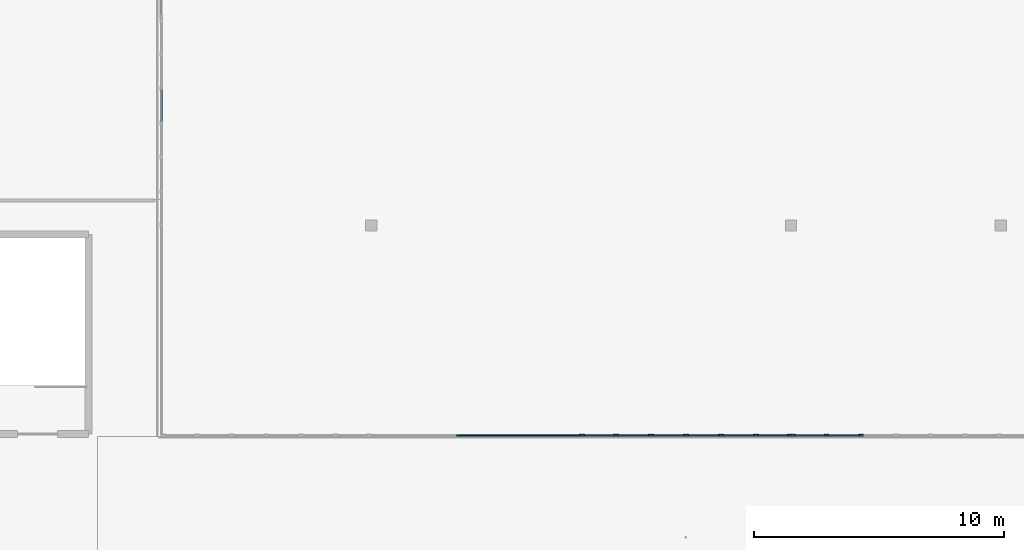
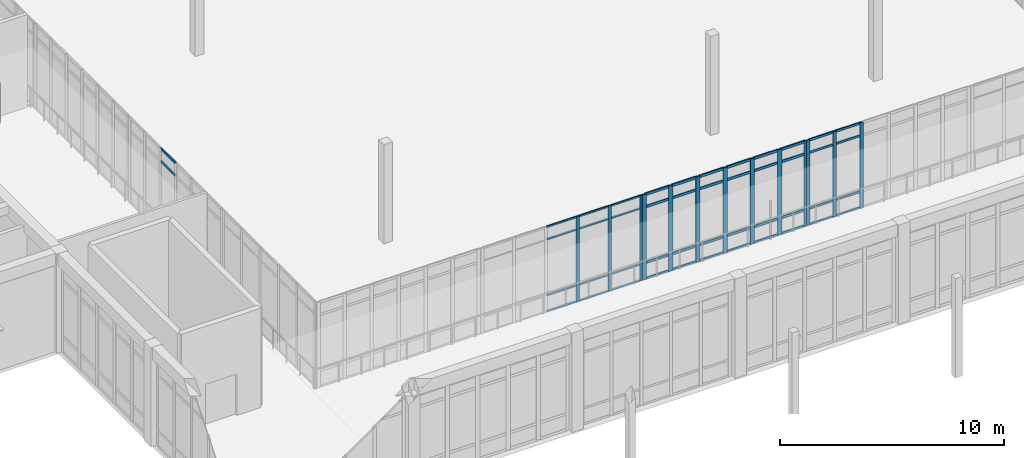
# One storey, part 18 of 157: 59 members, 4 elements without a shape of their own.
"""IFC4 building model written with IfcOpenShell, lengths in metres."""

from ifc_helpers import new_model, si_unit, direction, frame, origin, origin_2d, place, context, subcontext, project, spatial, rectangle, extrude, material, material_profile, profile_set, type_object, element, aggregate, save


model = new_model("IFC4")

# Units and contexts
model_context = context("Model", 3, precision=1e-05, world=origin(), true_north=direction((0.0, 1.0)))
body_context = subcontext(model_context, "Body", "Model", "MODEL_VIEW")
ifc_project = project(units=[si_unit("LENGTHUNIT", "METRE"), si_unit("AREAUNIT", "SQUARE_METRE"), si_unit("VOLUMEUNIT", "CUBIC_METRE"), si_unit("PLANEANGLEUNIT", "RADIAN"), si_unit("MASSUNIT", "GRAM", prefix="KILO")], contexts=[model_context])

# Site, building, storey
site_placement = place(None, origin())
site = spatial("IfcSite", under=ifc_project, at=site_placement, CompositionType="ELEMENT")
building_placement = place(site_placement, origin())
building = spatial("IfcBuilding", under=site, at=building_placement, Name="Varncliffe General Hospital", CompositionType="ELEMENT")
storey_placement = place(building_placement, frame((0.0, 0.0, 5.39990234375)))
storey = spatial("IfcBuildingStorey", under=building, at=storey_placement, Name="L01", CompositionType="ELEMENT", Elevation=5.39990234375)

# Curtain wall, members
ifc_material_1 = material(Name="Triple low-E argon insulated vision glazing", Category="glass")
curtain_wall_type_1 = type_object("IfcCurtainWallType", Name="Unitised Glazed Curtain Wall CW74 (8320x4640)", PredefinedType="USERDEFINED", material=ifc_material_1)
curtain_wall_1_placement = place(storey_placement, origin())
curtain_wall_1 = element("IfcCurtainWall", 1, at=curtain_wall_1_placement, inside=storey, type_object=curtain_wall_type_1, Name="L01 Glazed Curtain Wall CW74-94", ObjectType="GLAZED CURTAIN WALL", PredefinedType="USERDEFINED")
ifc_material_2 = material(Name="Dark bronze thermally broken aluminium framing", Category="aluminium")
ifc_material_profile_1 = material_profile(ifc_material_2, rectangle(XDim=0.074951171875, YDim=0.179931640625, at=origin_2d()), Name="ALU 75x180")
ifc_profile_set_1 = profile_set([ifc_material_profile_1], Name="Dark bronze thermally broken aluminium framing")
member_type_1 = type_object("IfcMemberType", Name="Curtain Wall Mullion CM44 (ALU 75x180)", PredefinedType="MULLION", material=ifc_profile_set_1)
member_1_placement = place(storey_placement, frame((92.4775390625, 15.60009765625, 0.0), z_axis=(0.0, 0.0, 1.0), x_axis=(0.0, 1.0, 0.0)))
member_1 = element("IfcMember", 2, at=member_1_placement, type_object=member_type_1, Name="CW74 mullion 1", PredefinedType="MULLION", context=body_context, shape_type="SweptSolid", body=[
    extrude(rectangle(XDim=0.074951171875, YDim=0.179931640625, at=origin_2d()), origin(), (0.0, 0.0, 1.0), 4.64013671875),
])
member_2_placement = place(storey_placement, frame((93.82666015625, 15.60009765625, 0.0), z_axis=(0.0, 0.0, 1.0), x_axis=(0.0, 1.0, 0.0)))
member_2 = element("IfcMember", 3, at=member_2_placement, type_object=member_type_1, Name="CW74 mullion 2", PredefinedType="MULLION", context=body_context, shape_type="SweptSolid", body=[
    extrude(rectangle(XDim=0.074951171875, YDim=0.179931640625, at=origin_2d()), origin(), (0.0, 0.0, 1.0), 4.64013671875),
])
member_3_placement = place(storey_placement, frame((95.21337890625, 15.60009765625, 0.0), z_axis=(0.0, 0.0, 1.0), x_axis=(0.0, 1.0, 0.0)))
member_3 = element("IfcMember", 4, at=member_3_placement, type_object=member_type_1, Name="CW74 mullion 3", PredefinedType="MULLION", context=body_context, shape_type="SweptSolid", body=[
    extrude(rectangle(XDim=0.074951171875, YDim=0.179931640625, at=origin_2d()), origin(), (0.0, 0.0, 1.0), 4.64013671875),
])

curtain_wall_type_2 = type_object("IfcCurtainWallType", Name="Unitised Glazed Curtain Wall CW56 (8240x4640)", PredefinedType="USERDEFINED", material=ifc_material_1)
curtain_wall_2_placement = place(storey_placement, origin())
curtain_wall_2 = element("IfcCurtainWall", 5, at=curtain_wall_2_placement, inside=storey, type_object=curtain_wall_type_2, Name="L01 Glazed Curtain Wall CW56-92", ObjectType="GLAZED CURTAIN WALL", PredefinedType="USERDEFINED")
ifc_material_profile_2 = material_profile(ifc_material_2, rectangle(XDim=0.06494140625, YDim=0.159912109375, at=origin_2d()), Name="ALU 65x160")
ifc_profile_set_2 = profile_set([ifc_material_profile_2], Name="Dark bronze thermally broken aluminium framing")
member_type_2 = type_object("IfcMemberType", Name="Curtain Wall Mullion CM65 (ALU 65x160)", PredefinedType="MULLION", material=ifc_profile_set_2)
member_4_placement = place(storey_placement, frame((80.6240234375, 15.60009765625, 0.0), z_axis=(0.0, 0.0, 1.0), x_axis=(0.0, 1.0, 0.0)))
member_4 = element("IfcMember", 6, at=member_4_placement, type_object=member_type_2, Name="CW56 mullion 4", PredefinedType="MULLION", context=body_context, shape_type="SweptSolid", body=[
    extrude(rectangle(XDim=0.06494140625, YDim=0.159912109375, at=origin_2d()), origin(), (0.0, 0.0, 1.0), 4.64013671875),
])
member_5_placement = place(storey_placement, frame((82.27197265625, 15.60009765625, 0.0), z_axis=(0.0, 0.0, 1.0), x_axis=(0.0, 1.0, 0.0)))
member_5 = element("IfcMember", 7, at=member_5_placement, type_object=member_type_2, Name="CW56 mullion 5", PredefinedType="MULLION", context=body_context, shape_type="SweptSolid", body=[
    extrude(rectangle(XDim=0.06494140625, YDim=0.159912109375, at=origin_2d()), origin(), (0.0, 0.0, 1.0), 4.64013671875),
])
member_6_placement = place(storey_placement, frame((83.887451171875, 15.60009765625, 0.0), z_axis=(0.0, 0.0, 1.0), x_axis=(0.0, 1.0, 0.0)))
member_6 = element("IfcMember", 8, at=member_6_placement, type_object=member_type_2, Name="CW56 mullion 6", PredefinedType="MULLION", context=body_context, shape_type="SweptSolid", body=[
    extrude(rectangle(XDim=0.06494140625, YDim=0.159912109375, at=origin_2d()), origin(), (0.0, 0.0, 1.0), 4.64013671875),
])

curtain_wall_type_3 = type_object("IfcCurtainWallType", Name="Unitised Glazed Curtain Wall CW89 (8400x4640)", PredefinedType="USERDEFINED", material=ifc_material_1)
curtain_wall_3_placement = place(storey_placement, origin())
curtain_wall_3 = element("IfcCurtainWall", 9, at=curtain_wall_3_placement, inside=storey, type_object=curtain_wall_type_3, Name="L01 Glazed Curtain Wall CW89-93", ObjectType="GLAZED CURTAIN WALL", PredefinedType="USERDEFINED")
ifc_material_profile_3 = material_profile(ifc_material_2, rectangle(XDim=0.074951171875, YDim=0.219970703125, at=origin_2d()), Name="ALU 75x220")
ifc_profile_set_3 = profile_set([ifc_material_profile_3], Name="Dark bronze thermally broken aluminium framing")
member_type_3 = type_object("IfcMemberType", Name="Curtain Wall Mullion CM74 (ALU 75x220)", PredefinedType="MULLION", material=ifc_profile_set_3)
member_7_placement = place(storey_placement, frame((84.03759765625, 15.60009765625, 0.0), z_axis=(0.0, 0.0, 1.0), x_axis=(0.0, 1.0, 0.0)))
member_7 = element("IfcMember", 10, at=member_7_placement, type_object=member_type_3, Name="CW89 mullion 1", PredefinedType="MULLION", context=body_context, shape_type="SweptSolid", body=[
    extrude(rectangle(XDim=0.074951171875, YDim=0.219970703125, at=origin_2d()), origin(), (0.0, 0.0, 1.0), 4.64013671875),
])
member_8_placement = place(storey_placement, frame((85.39990234375, 15.60009765625, 0.0), z_axis=(0.0, 0.0, 1.0), x_axis=(0.0, 1.0, 0.0)))
member_8 = element("IfcMember", 11, at=member_8_placement, type_object=member_type_3, Name="CW89 mullion 2", PredefinedType="MULLION", context=body_context, shape_type="SweptSolid", body=[
    extrude(rectangle(XDim=0.074951171875, YDim=0.219970703125, at=origin_2d()), origin(), (0.0, 0.0, 1.0), 4.64013671875),
])
member_9_placement = place(storey_placement, frame((86.800048828125, 15.60009765625, 0.0), z_axis=(0.0, 0.0, 1.0), x_axis=(0.0, 1.0, 0.0)))
member_9 = element("IfcMember", 12, at=member_9_placement, type_object=member_type_3, Name="CW89 mullion 3", PredefinedType="MULLION", context=body_context, shape_type="SweptSolid", body=[
    extrude(rectangle(XDim=0.074951171875, YDim=0.219970703125, at=origin_2d()), origin(), (0.0, 0.0, 1.0), 4.64013671875),
])
member_10_placement = place(storey_placement, frame((88.199951171875, 15.60009765625, 0.0), z_axis=(0.0, 0.0, 1.0), x_axis=(0.0, 1.0, 0.0)))
member_10 = element("IfcMember", 13, at=member_10_placement, type_object=member_type_3, Name="CW89 mullion 4", PredefinedType="MULLION", context=body_context, shape_type="SweptSolid", body=[
    extrude(rectangle(XDim=0.074951171875, YDim=0.219970703125, at=origin_2d()), origin(), (0.0, 0.0, 1.0), 4.64013671875),
])
member_11_placement = place(storey_placement, frame((89.60009765625, 15.60009765625, 0.0), z_axis=(0.0, 0.0, 1.0), x_axis=(0.0, 1.0, 0.0)))
member_11 = element("IfcMember", 14, at=member_11_placement, type_object=member_type_3, Name="CW89 mullion 5", PredefinedType="MULLION", context=body_context, shape_type="SweptSolid", body=[
    extrude(rectangle(XDim=0.074951171875, YDim=0.219970703125, at=origin_2d()), origin(), (0.0, 0.0, 1.0), 4.64013671875),
])
member_12_placement = place(storey_placement, frame((91.0, 15.60009765625, 0.0), z_axis=(0.0, 0.0, 1.0), x_axis=(0.0, 1.0, 0.0)))
member_12 = element("IfcMember", 15, at=member_12_placement, type_object=member_type_3, Name="CW89 mullion 6", PredefinedType="MULLION", context=body_context, shape_type="SweptSolid", body=[
    extrude(rectangle(XDim=0.074951171875, YDim=0.219970703125, at=origin_2d()), origin(), (0.0, 0.0, 1.0), 4.64013671875),
])
member_13_placement = place(storey_placement, frame((92.362548828125, 15.60009765625, 0.0), z_axis=(0.0, 0.0, 1.0), x_axis=(0.0, 1.0, 0.0)))
member_13 = element("IfcMember", 16, at=member_13_placement, type_object=member_type_3, Name="CW89 mullion 7", PredefinedType="MULLION", context=body_context, shape_type="SweptSolid", body=[
    extrude(rectangle(XDim=0.074951171875, YDim=0.219970703125, at=origin_2d()), origin(), (0.0, 0.0, 1.0), 4.64013671875),
])

# Member
ifc_material_profile_4 = material_profile(ifc_material_2, rectangle(XDim=0.06005859375, YDim=0.1201171875, at=origin_2d()), Name="ALU 60x120")
ifc_profile_set_4 = profile_set([ifc_material_profile_4], Name="Dark bronze thermally broken aluminium framing")
member_type_4 = type_object("IfcMemberType", Name="Curtain Wall Transom CT14 (ALU 60x120)", PredefinedType="USERDEFINED", material=ifc_profile_set_4)
member_14_placement = place(storey_placement, frame((92.514892578125, 15.60009765625, 0.030029296875), z_axis=(1.0, 0.0, 0.0), x_axis=(0.0, 1.0, 0.0)))
member_14 = element("IfcMember", 17, at=member_14_placement, type_object=member_type_4, Name="CW74 transom 1.1", ObjectType="TRANSOM", PredefinedType="USERDEFINED", context=body_context, shape_type="SweptSolid", body=[
    extrude(rectangle(XDim=0.06005859375, YDim=0.1201171875, at=origin_2d()), origin(), (0.0, 0.0, 1.0), 1.274169921875),
])

member_15_placement = place(storey_placement, frame((92.514892578125, 15.60009765625, 0.900146484375), z_axis=(1.0, 0.0, 0.0), x_axis=(0.0, 1.0, 0.0)))
member_15 = element("IfcMember", 18, at=member_15_placement, type_object=member_type_4, Name="CW74 transom 1.2", ObjectType="TRANSOM", PredefinedType="USERDEFINED", context=body_context, shape_type="SweptSolid", body=[
    extrude(rectangle(XDim=0.06005859375, YDim=0.1201171875, at=origin_2d()), origin(), (0.0, 0.0, 1.0), 1.274169921875),
])

member_16_placement = place(storey_placement, frame((92.514892578125, 15.60009765625, 3.940185546875), z_axis=(1.0, 0.0, 0.0), x_axis=(0.0, 1.0, 0.0)))
member_16 = element("IfcMember", 19, at=member_16_placement, type_object=member_type_4, Name="CW74 transom 1.3", ObjectType="TRANSOM", PredefinedType="USERDEFINED", context=body_context, shape_type="SweptSolid", body=[
    extrude(rectangle(XDim=0.06005859375, YDim=0.1201171875, at=origin_2d()), origin(), (0.0, 0.0, 1.0), 1.274169921875),
])

member_17_placement = place(storey_placement, frame((92.514892578125, 15.60009765625, 4.610107421875), z_axis=(1.0, 0.0, 0.0), x_axis=(0.0, 1.0, 0.0)))
member_17 = element("IfcMember", 20, at=member_17_placement, type_object=member_type_4, Name="CW74 transom 1.4", ObjectType="TRANSOM", PredefinedType="USERDEFINED", context=body_context, shape_type="SweptSolid", body=[
    extrude(rectangle(XDim=0.06005859375, YDim=0.1201171875, at=origin_2d()), origin(), (0.0, 0.0, 1.0), 1.274169921875),
])

member_18_placement = place(storey_placement, frame((93.8642578125, 15.60009765625, 0.030029296875), z_axis=(1.0, 0.0, 0.0), x_axis=(0.0, 1.0, 0.0)))
member_18 = element("IfcMember", 21, at=member_18_placement, type_object=member_type_4, Name="CW74 transom 2.1", ObjectType="TRANSOM", PredefinedType="USERDEFINED", context=body_context, shape_type="SweptSolid", body=[
    extrude(rectangle(XDim=0.06005859375, YDim=0.1201171875, at=origin_2d()), origin(), (0.0, 0.0, 1.0), 1.3115234375),
])

member_19_placement = place(storey_placement, frame((93.8642578125, 15.60009765625, 0.900146484375), z_axis=(1.0, 0.0, 0.0), x_axis=(0.0, 1.0, 0.0)))
member_19 = element("IfcMember", 22, at=member_19_placement, type_object=member_type_4, Name="CW74 transom 2.2", ObjectType="TRANSOM", PredefinedType="USERDEFINED", context=body_context, shape_type="SweptSolid", body=[
    extrude(rectangle(XDim=0.06005859375, YDim=0.1201171875, at=origin_2d()), origin(), (0.0, 0.0, 1.0), 1.3115234375),
])

member_20_placement = place(storey_placement, frame((93.8642578125, 15.60009765625, 3.940185546875), z_axis=(1.0, 0.0, 0.0), x_axis=(0.0, 1.0, 0.0)))
member_20 = element("IfcMember", 23, at=member_20_placement, type_object=member_type_4, Name="CW74 transom 2.3", ObjectType="TRANSOM", PredefinedType="USERDEFINED", context=body_context, shape_type="SweptSolid", body=[
    extrude(rectangle(XDim=0.06005859375, YDim=0.1201171875, at=origin_2d()), origin(), (0.0, 0.0, 1.0), 1.3115234375),
])

member_21_placement = place(storey_placement, frame((93.8642578125, 15.60009765625, 4.610107421875), z_axis=(1.0, 0.0, 0.0), x_axis=(0.0, 1.0, 0.0)))
member_21 = element("IfcMember", 24, at=member_21_placement, type_object=member_type_4, Name="CW74 transom 2.4", ObjectType="TRANSOM", PredefinedType="USERDEFINED", context=body_context, shape_type="SweptSolid", body=[
    extrude(rectangle(XDim=0.06005859375, YDim=0.1201171875, at=origin_2d()), origin(), (0.0, 0.0, 1.0), 1.3115234375),
])

aggregate(curtain_wall_1, [member_1, member_2, member_3, member_14, member_15, member_16, member_17, member_18, member_19, member_20, member_21])

# Curtain wall, members
curtain_wall_type_4 = type_object("IfcCurtainWallType", Name="Unitised Glazed Curtain Wall CW14 (8260x4640)", PredefinedType="USERDEFINED", material=ifc_material_1)
curtain_wall_4_placement = place(storey_placement, origin())
curtain_wall_4 = element("IfcCurtainWall", 25, at=curtain_wall_4_placement, inside=storey, type_object=curtain_wall_type_4, Name="L01 Glazed Curtain Wall CW14-109", ObjectType="GLAZED CURTAIN WALL", PredefinedType="USERDEFINED")
member_22_placement = place(storey_placement, frame((67.199951171875, 29.449951171875, 3.940185546875), z_axis=(0.0, -1.0, 0.0), x_axis=(1.0, 0.0, 0.0)))
member_22 = element("IfcMember", 26, at=member_22_placement, type_object=member_type_4, Name="CW14 transom 3.3", ObjectType="TRANSOM", PredefinedType="USERDEFINED", context=body_context, shape_type="SweptSolid", body=[
    extrude(rectangle(XDim=0.06005859375, YDim=0.1201171875, at=origin_2d()), origin(), (0.0, 0.0, 1.0), 1.3017578125),
])
member_23_placement = place(storey_placement, frame((67.199951171875, 29.449951171875, 4.610107421875), z_axis=(0.0, -1.0, 0.0), x_axis=(1.0, 0.0, 0.0)))
member_23 = element("IfcMember", 27, at=member_23_placement, type_object=member_type_4, Name="CW14 transom 3.4", ObjectType="TRANSOM", PredefinedType="USERDEFINED", context=body_context, shape_type="SweptSolid", body=[
    extrude(rectangle(XDim=0.06005859375, YDim=0.1201171875, at=origin_2d()), origin(), (0.0, 0.0, 1.0), 1.3017578125),
])
aggregate(curtain_wall_4, [member_22, member_23])

# Member
ifc_material_profile_5 = material_profile(ifc_material_2, rectangle(XDim=0.06005859375, YDim=0.10009765625, at=origin_2d()), Name="ALU 60x100")
ifc_profile_set_5 = profile_set([ifc_material_profile_5], Name="Dark bronze thermally broken aluminium framing")
member_type_5 = type_object("IfcMemberType", Name="Curtain Wall Transom CT18 (ALU 60x100)", PredefinedType="USERDEFINED", material=ifc_profile_set_5)
member_24_placement = place(storey_placement, frame((79.008544921875, 15.60009765625, 0.030029296875), z_axis=(1.0, 0.0, 0.0), x_axis=(0.0, 1.0, 0.0)))
member_24 = element("IfcMember", 28, at=member_24_placement, type_object=member_type_5, Name="CW56 transom 3.1", ObjectType="TRANSOM", PredefinedType="USERDEFINED", context=body_context, shape_type="SweptSolid", body=[
    extrude(rectangle(XDim=0.06005859375, YDim=0.10009765625, at=origin_2d()), origin(), (0.0, 0.0, 1.0), 1.5830078125),
])

member_25_placement = place(storey_placement, frame((79.008544921875, 15.60009765625, 0.900146484375), z_axis=(1.0, 0.0, 0.0), x_axis=(0.0, 1.0, 0.0)))
member_25 = element("IfcMember", 29, at=member_25_placement, type_object=member_type_5, Name="CW56 transom 3.2", ObjectType="TRANSOM", PredefinedType="USERDEFINED", context=body_context, shape_type="SweptSolid", body=[
    extrude(rectangle(XDim=0.06005859375, YDim=0.10009765625, at=origin_2d()), origin(), (0.0, 0.0, 1.0), 1.5830078125),
])

member_26_placement = place(storey_placement, frame((79.008544921875, 15.60009765625, 3.940185546875), z_axis=(1.0, 0.0, 0.0), x_axis=(0.0, 1.0, 0.0)))
member_26 = element("IfcMember", 30, at=member_26_placement, type_object=member_type_5, Name="CW56 transom 3.3", ObjectType="TRANSOM", PredefinedType="USERDEFINED", context=body_context, shape_type="SweptSolid", body=[
    extrude(rectangle(XDim=0.06005859375, YDim=0.10009765625, at=origin_2d()), origin(), (0.0, 0.0, 1.0), 1.5830078125),
])

member_27_placement = place(storey_placement, frame((79.008544921875, 15.60009765625, 4.610107421875), z_axis=(1.0, 0.0, 0.0), x_axis=(0.0, 1.0, 0.0)))
member_27 = element("IfcMember", 31, at=member_27_placement, type_object=member_type_5, Name="CW56 transom 3.4", ObjectType="TRANSOM", PredefinedType="USERDEFINED", context=body_context, shape_type="SweptSolid", body=[
    extrude(rectangle(XDim=0.06005859375, YDim=0.10009765625, at=origin_2d()), origin(), (0.0, 0.0, 1.0), 1.5830078125),
])

member_28_placement = place(storey_placement, frame((80.656494140625, 15.60009765625, 0.030029296875), z_axis=(1.0, 0.0, 0.0), x_axis=(0.0, 1.0, 0.0)))
member_28 = element("IfcMember", 32, at=member_28_placement, type_object=member_type_5, Name="CW56 transom 4.1", ObjectType="TRANSOM", PredefinedType="USERDEFINED", context=body_context, shape_type="SweptSolid", body=[
    extrude(rectangle(XDim=0.06005859375, YDim=0.10009765625, at=origin_2d()), origin(), (0.0, 0.0, 1.0), 1.5830078125),
])

member_29_placement = place(storey_placement, frame((80.656494140625, 15.60009765625, 0.900146484375), z_axis=(1.0, 0.0, 0.0), x_axis=(0.0, 1.0, 0.0)))
member_29 = element("IfcMember", 33, at=member_29_placement, type_object=member_type_5, Name="CW56 transom 4.2", ObjectType="TRANSOM", PredefinedType="USERDEFINED", context=body_context, shape_type="SweptSolid", body=[
    extrude(rectangle(XDim=0.06005859375, YDim=0.10009765625, at=origin_2d()), origin(), (0.0, 0.0, 1.0), 1.5830078125),
])

member_30_placement = place(storey_placement, frame((80.656494140625, 15.60009765625, 3.940185546875), z_axis=(1.0, 0.0, 0.0), x_axis=(0.0, 1.0, 0.0)))
member_30 = element("IfcMember", 34, at=member_30_placement, type_object=member_type_5, Name="CW56 transom 4.3", ObjectType="TRANSOM", PredefinedType="USERDEFINED", context=body_context, shape_type="SweptSolid", body=[
    extrude(rectangle(XDim=0.06005859375, YDim=0.10009765625, at=origin_2d()), origin(), (0.0, 0.0, 1.0), 1.5830078125),
])

member_31_placement = place(storey_placement, frame((80.656494140625, 15.60009765625, 4.610107421875), z_axis=(1.0, 0.0, 0.0), x_axis=(0.0, 1.0, 0.0)))
member_31 = element("IfcMember", 35, at=member_31_placement, type_object=member_type_5, Name="CW56 transom 4.4", ObjectType="TRANSOM", PredefinedType="USERDEFINED", context=body_context, shape_type="SweptSolid", body=[
    extrude(rectangle(XDim=0.06005859375, YDim=0.10009765625, at=origin_2d()), origin(), (0.0, 0.0, 1.0), 1.5830078125),
])

member_32_placement = place(storey_placement, frame((82.304443359375, 15.60009765625, 0.030029296875), z_axis=(1.0, 0.0, 0.0), x_axis=(0.0, 1.0, 0.0)))
member_32 = element("IfcMember", 36, at=member_32_placement, type_object=member_type_5, Name="CW56 transom 5.1", ObjectType="TRANSOM", PredefinedType="USERDEFINED", context=body_context, shape_type="SweptSolid", body=[
    extrude(rectangle(XDim=0.06005859375, YDim=0.10009765625, at=origin_2d()), origin(), (0.0, 0.0, 1.0), 1.550537109375),
])

member_33_placement = place(storey_placement, frame((82.304443359375, 15.60009765625, 0.900146484375), z_axis=(1.0, 0.0, 0.0), x_axis=(0.0, 1.0, 0.0)))
member_33 = element("IfcMember", 37, at=member_33_placement, type_object=member_type_5, Name="CW56 transom 5.2", ObjectType="TRANSOM", PredefinedType="USERDEFINED", context=body_context, shape_type="SweptSolid", body=[
    extrude(rectangle(XDim=0.06005859375, YDim=0.10009765625, at=origin_2d()), origin(), (0.0, 0.0, 1.0), 1.550537109375),
])

member_34_placement = place(storey_placement, frame((82.304443359375, 15.60009765625, 3.940185546875), z_axis=(1.0, 0.0, 0.0), x_axis=(0.0, 1.0, 0.0)))
member_34 = element("IfcMember", 38, at=member_34_placement, type_object=member_type_5, Name="CW56 transom 5.3", ObjectType="TRANSOM", PredefinedType="USERDEFINED", context=body_context, shape_type="SweptSolid", body=[
    extrude(rectangle(XDim=0.06005859375, YDim=0.10009765625, at=origin_2d()), origin(), (0.0, 0.0, 1.0), 1.550537109375),
])

member_35_placement = place(storey_placement, frame((82.304443359375, 15.60009765625, 4.610107421875), z_axis=(1.0, 0.0, 0.0), x_axis=(0.0, 1.0, 0.0)))
member_35 = element("IfcMember", 39, at=member_35_placement, type_object=member_type_5, Name="CW56 transom 5.4", ObjectType="TRANSOM", PredefinedType="USERDEFINED", context=body_context, shape_type="SweptSolid", body=[
    extrude(rectangle(XDim=0.06005859375, YDim=0.10009765625, at=origin_2d()), origin(), (0.0, 0.0, 1.0), 1.550537109375),
])

aggregate(curtain_wall_2, [member_4, member_5, member_6, member_24, member_25, member_26, member_27, member_28, member_29, member_30, member_31, member_32, member_33, member_34, member_35])

ifc_material_profile_6 = material_profile(ifc_material_2, rectangle(XDim=0.06494140625, YDim=0.139892578125, at=origin_2d()), Name="ALU 65x140")
ifc_profile_set_6 = profile_set([ifc_material_profile_6], Name="Dark bronze thermally broken aluminium framing")
member_type_6 = type_object("IfcMemberType", Name="Curtain Wall Transom CT69 (ALU 65x140)", PredefinedType="USERDEFINED", material=ifc_profile_set_6)
member_36_placement = place(storey_placement, frame((84.074951171875, 15.60009765625, 0.03271484375), z_axis=(1.0, 0.0, 0.0), x_axis=(0.0, 1.0, 0.0)))
member_36 = element("IfcMember", 40, at=member_36_placement, type_object=member_type_6, Name="CW89 transom 1.1", ObjectType="TRANSOM", PredefinedType="USERDEFINED", context=body_context, shape_type="SweptSolid", body=[
    extrude(rectangle(XDim=0.06494140625, YDim=0.139892578125, at=origin_2d()), origin(), (0.0, 0.0, 1.0), 1.28759765625),
])

member_37_placement = place(storey_placement, frame((84.074951171875, 15.60009765625, 0.900146484375), z_axis=(1.0, 0.0, 0.0), x_axis=(0.0, 1.0, 0.0)))
member_37 = element("IfcMember", 41, at=member_37_placement, type_object=member_type_6, Name="CW89 transom 1.2", ObjectType="TRANSOM", PredefinedType="USERDEFINED", context=body_context, shape_type="SweptSolid", body=[
    extrude(rectangle(XDim=0.06494140625, YDim=0.139892578125, at=origin_2d()), origin(), (0.0, 0.0, 1.0), 1.28759765625),
])

member_38_placement = place(storey_placement, frame((84.074951171875, 15.60009765625, 3.940185546875), z_axis=(1.0, 0.0, 0.0), x_axis=(0.0, 1.0, 0.0)))
member_38 = element("IfcMember", 42, at=member_38_placement, type_object=member_type_6, Name="CW89 transom 1.3", ObjectType="TRANSOM", PredefinedType="USERDEFINED", context=body_context, shape_type="SweptSolid", body=[
    extrude(rectangle(XDim=0.06494140625, YDim=0.139892578125, at=origin_2d()), origin(), (0.0, 0.0, 1.0), 1.28759765625),
])

member_39_placement = place(storey_placement, frame((84.074951171875, 15.60009765625, 4.607666015625), z_axis=(1.0, 0.0, 0.0), x_axis=(0.0, 1.0, 0.0)))
member_39 = element("IfcMember", 43, at=member_39_placement, type_object=member_type_6, Name="CW89 transom 1.4", ObjectType="TRANSOM", PredefinedType="USERDEFINED", context=body_context, shape_type="SweptSolid", body=[
    extrude(rectangle(XDim=0.06494140625, YDim=0.139892578125, at=origin_2d()), origin(), (0.0, 0.0, 1.0), 1.28759765625),
])

member_40_placement = place(storey_placement, frame((85.4375, 15.60009765625, 0.03271484375), z_axis=(1.0, 0.0, 0.0), x_axis=(0.0, 1.0, 0.0)))
member_40 = element("IfcMember", 44, at=member_40_placement, type_object=member_type_6, Name="CW89 transom 2.1", ObjectType="TRANSOM", PredefinedType="USERDEFINED", context=body_context, shape_type="SweptSolid", body=[
    extrude(rectangle(XDim=0.06494140625, YDim=0.139892578125, at=origin_2d()), origin(), (0.0, 0.0, 1.0), 1.324951171875),
])

member_41_placement = place(storey_placement, frame((85.4375, 15.60009765625, 0.900146484375), z_axis=(1.0, 0.0, 0.0), x_axis=(0.0, 1.0, 0.0)))
member_41 = element("IfcMember", 45, at=member_41_placement, type_object=member_type_6, Name="CW89 transom 2.2", ObjectType="TRANSOM", PredefinedType="USERDEFINED", context=body_context, shape_type="SweptSolid", body=[
    extrude(rectangle(XDim=0.06494140625, YDim=0.139892578125, at=origin_2d()), origin(), (0.0, 0.0, 1.0), 1.324951171875),
])

member_42_placement = place(storey_placement, frame((85.4375, 15.60009765625, 3.940185546875), z_axis=(1.0, 0.0, 0.0), x_axis=(0.0, 1.0, 0.0)))
member_42 = element("IfcMember", 46, at=member_42_placement, type_object=member_type_6, Name="CW89 transom 2.3", ObjectType="TRANSOM", PredefinedType="USERDEFINED", context=body_context, shape_type="SweptSolid", body=[
    extrude(rectangle(XDim=0.06494140625, YDim=0.139892578125, at=origin_2d()), origin(), (0.0, 0.0, 1.0), 1.324951171875),
])

member_43_placement = place(storey_placement, frame((85.4375, 15.60009765625, 4.607666015625), z_axis=(1.0, 0.0, 0.0), x_axis=(0.0, 1.0, 0.0)))
member_43 = element("IfcMember", 47, at=member_43_placement, type_object=member_type_6, Name="CW89 transom 2.4", ObjectType="TRANSOM", PredefinedType="USERDEFINED", context=body_context, shape_type="SweptSolid", body=[
    extrude(rectangle(XDim=0.06494140625, YDim=0.139892578125, at=origin_2d()), origin(), (0.0, 0.0, 1.0), 1.324951171875),
])

member_44_placement = place(storey_placement, frame((86.83740234375, 15.60009765625, 0.03271484375), z_axis=(1.0, 0.0, 0.0), x_axis=(0.0, 1.0, 0.0)))
member_44 = element("IfcMember", 48, at=member_44_placement, type_object=member_type_6, Name="CW89 transom 3.1", ObjectType="TRANSOM", PredefinedType="USERDEFINED", context=body_context, shape_type="SweptSolid", body=[
    extrude(rectangle(XDim=0.06494140625, YDim=0.139892578125, at=origin_2d()), origin(), (0.0, 0.0, 1.0), 1.3251953125),
])

member_45_placement = place(storey_placement, frame((86.83740234375, 15.60009765625, 0.900146484375), z_axis=(1.0, 0.0, 0.0), x_axis=(0.0, 1.0, 0.0)))
member_45 = element("IfcMember", 49, at=member_45_placement, type_object=member_type_6, Name="CW89 transom 3.2", ObjectType="TRANSOM", PredefinedType="USERDEFINED", context=body_context, shape_type="SweptSolid", body=[
    extrude(rectangle(XDim=0.06494140625, YDim=0.139892578125, at=origin_2d()), origin(), (0.0, 0.0, 1.0), 1.3251953125),
])

member_46_placement = place(storey_placement, frame((86.83740234375, 15.60009765625, 3.940185546875), z_axis=(1.0, 0.0, 0.0), x_axis=(0.0, 1.0, 0.0)))
member_46 = element("IfcMember", 50, at=member_46_placement, type_object=member_type_6, Name="CW89 transom 3.3", ObjectType="TRANSOM", PredefinedType="USERDEFINED", context=body_context, shape_type="SweptSolid", body=[
    extrude(rectangle(XDim=0.06494140625, YDim=0.139892578125, at=origin_2d()), origin(), (0.0, 0.0, 1.0), 1.3251953125),
])

member_47_placement = place(storey_placement, frame((86.83740234375, 15.60009765625, 4.607666015625), z_axis=(1.0, 0.0, 0.0), x_axis=(0.0, 1.0, 0.0)))
member_47 = element("IfcMember", 51, at=member_47_placement, type_object=member_type_6, Name="CW89 transom 3.4", ObjectType="TRANSOM", PredefinedType="USERDEFINED", context=body_context, shape_type="SweptSolid", body=[
    extrude(rectangle(XDim=0.06494140625, YDim=0.139892578125, at=origin_2d()), origin(), (0.0, 0.0, 1.0), 1.3251953125),
])

member_48_placement = place(storey_placement, frame((88.237548828125, 15.60009765625, 0.03271484375), z_axis=(1.0, 0.0, 0.0), x_axis=(0.0, 1.0, 0.0)))
member_48 = element("IfcMember", 52, at=member_48_placement, type_object=member_type_6, Name="CW89 transom 4.1", ObjectType="TRANSOM", PredefinedType="USERDEFINED", context=body_context, shape_type="SweptSolid", body=[
    extrude(rectangle(XDim=0.06494140625, YDim=0.139892578125, at=origin_2d()), origin(), (0.0, 0.0, 1.0), 1.324951171875),
])

member_49_placement = place(storey_placement, frame((88.237548828125, 15.60009765625, 0.900146484375), z_axis=(1.0, 0.0, 0.0), x_axis=(0.0, 1.0, 0.0)))
member_49 = element("IfcMember", 53, at=member_49_placement, type_object=member_type_6, Name="CW89 transom 4.2", ObjectType="TRANSOM", PredefinedType="USERDEFINED", context=body_context, shape_type="SweptSolid", body=[
    extrude(rectangle(XDim=0.06494140625, YDim=0.139892578125, at=origin_2d()), origin(), (0.0, 0.0, 1.0), 1.324951171875),
])

member_50_placement = place(storey_placement, frame((88.237548828125, 15.60009765625, 3.940185546875), z_axis=(1.0, 0.0, 0.0), x_axis=(0.0, 1.0, 0.0)))
member_50 = element("IfcMember", 54, at=member_50_placement, type_object=member_type_6, Name="CW89 transom 4.3", ObjectType="TRANSOM", PredefinedType="USERDEFINED", context=body_context, shape_type="SweptSolid", body=[
    extrude(rectangle(XDim=0.06494140625, YDim=0.139892578125, at=origin_2d()), origin(), (0.0, 0.0, 1.0), 1.324951171875),
])

member_51_placement = place(storey_placement, frame((88.237548828125, 15.60009765625, 4.607666015625), z_axis=(1.0, 0.0, 0.0), x_axis=(0.0, 1.0, 0.0)))
member_51 = element("IfcMember", 55, at=member_51_placement, type_object=member_type_6, Name="CW89 transom 4.4", ObjectType="TRANSOM", PredefinedType="USERDEFINED", context=body_context, shape_type="SweptSolid", body=[
    extrude(rectangle(XDim=0.06494140625, YDim=0.139892578125, at=origin_2d()), origin(), (0.0, 0.0, 1.0), 1.324951171875),
])

member_52_placement = place(storey_placement, frame((89.637451171875, 15.60009765625, 0.03271484375), z_axis=(1.0, 0.0, 0.0), x_axis=(0.0, 1.0, 0.0)))
member_52 = element("IfcMember", 56, at=member_52_placement, type_object=member_type_6, Name="CW89 transom 5.1", ObjectType="TRANSOM", PredefinedType="USERDEFINED", context=body_context, shape_type="SweptSolid", body=[
    extrude(rectangle(XDim=0.06494140625, YDim=0.139892578125, at=origin_2d()), origin(), (0.0, 0.0, 1.0), 1.324951171875),
])

member_53_placement = place(storey_placement, frame((89.637451171875, 15.60009765625, 0.900146484375), z_axis=(1.0, 0.0, 0.0), x_axis=(0.0, 1.0, 0.0)))
member_53 = element("IfcMember", 57, at=member_53_placement, type_object=member_type_6, Name="CW89 transom 5.2", ObjectType="TRANSOM", PredefinedType="USERDEFINED", context=body_context, shape_type="SweptSolid", body=[
    extrude(rectangle(XDim=0.06494140625, YDim=0.139892578125, at=origin_2d()), origin(), (0.0, 0.0, 1.0), 1.324951171875),
])

member_54_placement = place(storey_placement, frame((89.637451171875, 15.60009765625, 3.940185546875), z_axis=(1.0, 0.0, 0.0), x_axis=(0.0, 1.0, 0.0)))
member_54 = element("IfcMember", 58, at=member_54_placement, type_object=member_type_6, Name="CW89 transom 5.3", ObjectType="TRANSOM", PredefinedType="USERDEFINED", context=body_context, shape_type="SweptSolid", body=[
    extrude(rectangle(XDim=0.06494140625, YDim=0.139892578125, at=origin_2d()), origin(), (0.0, 0.0, 1.0), 1.324951171875),
])

member_55_placement = place(storey_placement, frame((89.637451171875, 15.60009765625, 4.607666015625), z_axis=(1.0, 0.0, 0.0), x_axis=(0.0, 1.0, 0.0)))
member_55 = element("IfcMember", 59, at=member_55_placement, type_object=member_type_6, Name="CW89 transom 5.4", ObjectType="TRANSOM", PredefinedType="USERDEFINED", context=body_context, shape_type="SweptSolid", body=[
    extrude(rectangle(XDim=0.06494140625, YDim=0.139892578125, at=origin_2d()), origin(), (0.0, 0.0, 1.0), 1.324951171875),
])

member_56_placement = place(storey_placement, frame((91.03759765625, 15.60009765625, 0.03271484375), z_axis=(1.0, 0.0, 0.0), x_axis=(0.0, 1.0, 0.0)))
member_56 = element("IfcMember", 60, at=member_56_placement, type_object=member_type_6, Name="CW89 transom 6.1", ObjectType="TRANSOM", PredefinedType="USERDEFINED", context=body_context, shape_type="SweptSolid", body=[
    extrude(rectangle(XDim=0.06494140625, YDim=0.139892578125, at=origin_2d()), origin(), (0.0, 0.0, 1.0), 1.287353515625),
])

member_57_placement = place(storey_placement, frame((91.03759765625, 15.60009765625, 0.900146484375), z_axis=(1.0, 0.0, 0.0), x_axis=(0.0, 1.0, 0.0)))
member_57 = element("IfcMember", 61, at=member_57_placement, type_object=member_type_6, Name="CW89 transom 6.2", ObjectType="TRANSOM", PredefinedType="USERDEFINED", context=body_context, shape_type="SweptSolid", body=[
    extrude(rectangle(XDim=0.06494140625, YDim=0.139892578125, at=origin_2d()), origin(), (0.0, 0.0, 1.0), 1.287353515625),
])

member_58_placement = place(storey_placement, frame((91.03759765625, 15.60009765625, 3.940185546875), z_axis=(1.0, 0.0, 0.0), x_axis=(0.0, 1.0, 0.0)))
member_58 = element("IfcMember", 62, at=member_58_placement, type_object=member_type_6, Name="CW89 transom 6.3", ObjectType="TRANSOM", PredefinedType="USERDEFINED", context=body_context, shape_type="SweptSolid", body=[
    extrude(rectangle(XDim=0.06494140625, YDim=0.139892578125, at=origin_2d()), origin(), (0.0, 0.0, 1.0), 1.287353515625),
])

member_59_placement = place(storey_placement, frame((91.03759765625, 15.60009765625, 4.607666015625), z_axis=(1.0, 0.0, 0.0), x_axis=(0.0, 1.0, 0.0)))
member_59 = element("IfcMember", 63, at=member_59_placement, type_object=member_type_6, Name="CW89 transom 6.4", ObjectType="TRANSOM", PredefinedType="USERDEFINED", context=body_context, shape_type="SweptSolid", body=[
    extrude(rectangle(XDim=0.06494140625, YDim=0.139892578125, at=origin_2d()), origin(), (0.0, 0.0, 1.0), 1.287353515625),
])

aggregate(curtain_wall_3, [member_7, member_8, member_9, member_10, member_11, member_12, member_13, member_36, member_37, member_38, member_39, member_40, member_41, member_42, member_43, member_44, member_45, member_46, member_47, member_48, member_49, member_50, member_51, member_52, member_53, member_54, member_55, member_56, member_57, member_58, member_59])

save(model, "model.ifc")
